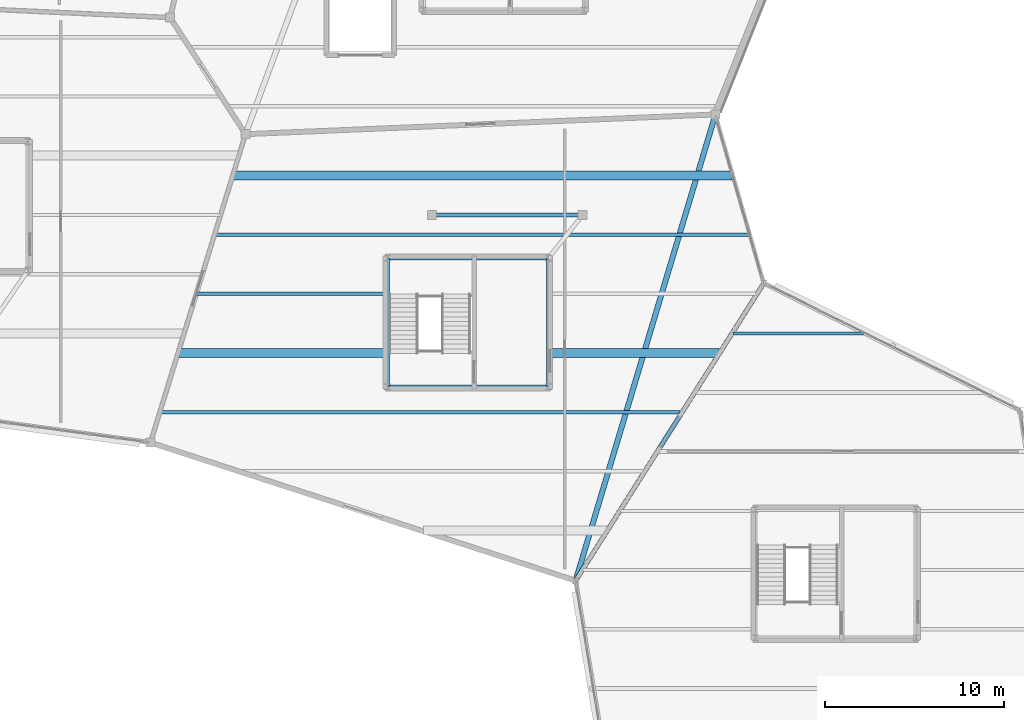
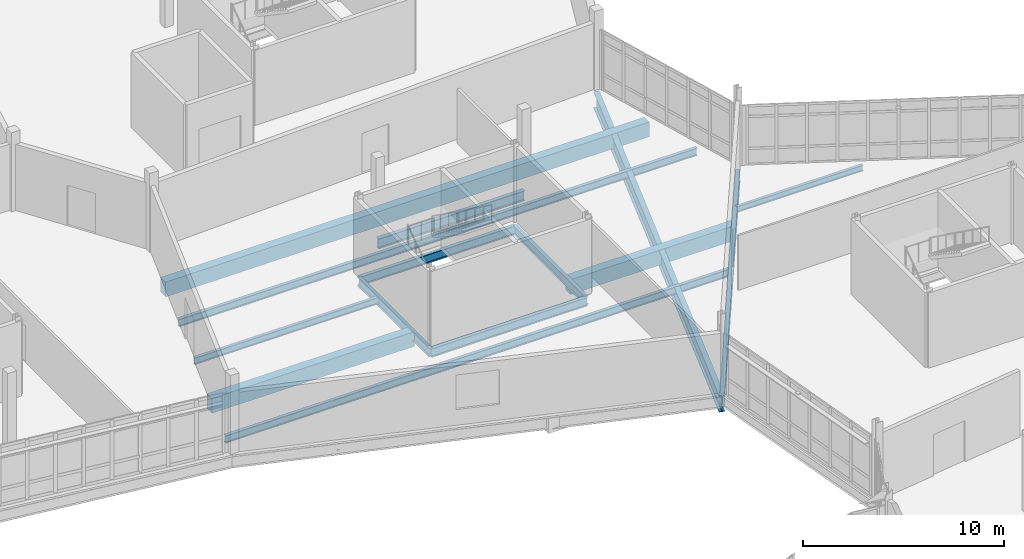
# One storey, part 54 of 134: 14 beams.
"""IFC4 building model written with IfcOpenShell, lengths in metres."""

from ifc_helpers import new_model, si_unit, direction, frame, origin, origin_2d, place, context, subcontext, project, spatial, rectangle, i_section, extrude, material, material_profile, profile_set, type_object, element, save


model = new_model("IFC4")

# Units and contexts
model_context = context("Model", 3, precision=1e-05, world=origin(), true_north=direction((0.0, 1.0)))
body_context = subcontext(model_context, "Body", "Model", "MODEL_VIEW")
ifc_project = project(units=[si_unit("LENGTHUNIT", "METRE"), si_unit("AREAUNIT", "SQUARE_METRE"), si_unit("VOLUMEUNIT", "CUBIC_METRE"), si_unit("PLANEANGLEUNIT", "RADIAN"), si_unit("MASSUNIT", "GRAM", prefix="KILO")], contexts=[model_context])

# Site, building, storey
site_placement = place(None, origin())
site = spatial("IfcSite", under=ifc_project, at=site_placement, CompositionType="ELEMENT")
building_placement = place(site_placement, origin())
building = spatial("IfcBuilding", under=site, at=building_placement, Name="Tameran Prism Museum", CompositionType="ELEMENT")
storey_placement = place(building_placement, frame((0.0, 0.0, 5.39990234375)))
storey = spatial("IfcBuildingStorey", under=building, at=storey_placement, Name="L01", CompositionType="ELEMENT", Elevation=5.39990234375)

# Beams
ifc_material_1 = material(Name="Steel Grade 300PLUS (300 MPa)", Category="steel")
ifc_material_profile_1 = material_profile(ifc_material_1, i_section(OverallWidth=0.1708984375, OverallDepth=0.35595703125, WebThickness=0.00732421875, FlangeThickness=0.011474609375, FilletRadius=0.011474609375, at=origin_2d()))
ifc_profile_set_1 = profile_set([ifc_material_profile_1])
beam_type_1 = type_object("IfcBeamType", Name="BM-J360B", PredefinedType="JOIST", material=ifc_profile_set_1)
beam_1_placement = place(storey_placement, frame((58.77587890625, 70.39990234375, -0.3779296875), z_axis=(1.0, 0.0, 0.0), x_axis=(0.0, 1.0, 0.0)))
element("IfcBeam", 1, at=beam_1_placement, inside=storey, type_object=beam_type_1, Name="Floor Beam BM-0560", PredefinedType="JOIST", context=body_context, shape_type="SweptSolid", body=[
    extrude(i_section(OverallWidth=0.1708984375, OverallDepth=0.35595703125, WebThickness=0.00732421875, FlangeThickness=0.011474609375, FilletRadius=0.011474609375, at=origin_2d()), origin(), (0.0, 0.0, 1.0), 7.273193359375),
])
ifc_material_2 = material(Name="Steel Grade 300PLUS (300 MPa)", Category="steel")
ifc_material_profile_2 = material_profile(ifc_material_2, i_section(OverallWidth=0.177978515625, OverallDepth=0.406005859375, WebThickness=0.0078125, FlangeThickness=0.0126953125, FilletRadius=0.011474609375, at=origin_2d()))
ifc_profile_set_2 = profile_set([ifc_material_profile_2])
beam_type_2 = type_object("IfcBeamType", Name="BM-J410A", PredefinedType="JOIST", material=ifc_profile_set_2)
beam_2_placement = place(storey_placement, frame((28.89892578125, 72.60009765625, -0.462890625), z_axis=(1.0, 0.0, 0.0), x_axis=(0.0, 1.0, 0.0)))
element("IfcBeam", 2, at=beam_2_placement, inside=storey, type_object=beam_type_2, Name="Floor Beam BM-0618", PredefinedType="JOIST", context=body_context, shape_type="SweptSolid", body=[
    extrude(i_section(OverallWidth=0.177978515625, OverallDepth=0.406005859375, WebThickness=0.0078125, FlangeThickness=0.0126953125, FilletRadius=0.011474609375, at=origin_2d()), origin(), (0.0, 0.0, 1.0), 10.62109375),
])
ifc_material_3 = material(Name="Steel Grade 300PLUS (300 MPa)", Category="steel")
ifc_material_profile_3 = material_profile(ifc_material_3, i_section(OverallWidth=0.19091796875, OverallDepth=0.4599609375, WebThickness=0.010009765625, FlangeThickness=0.01611328125, FilletRadius=0.011474609375, at=origin_2d()))
ifc_profile_set_3 = profile_set([ifc_material_profile_3])
beam_type_3 = type_object("IfcBeamType", Name="BM-J460A", PredefinedType="JOIST", material=ifc_profile_set_3)
beam_3_placement = place(storey_placement, frame((26.865966796875, 66.0, -0.489990234375), z_axis=(1.0, 0.0, 0.0), x_axis=(0.0, 1.0, 0.0)))
element("IfcBeam", 3, at=beam_3_placement, inside=storey, type_object=beam_type_3, Name="Floor Beam BM-0615", PredefinedType="JOIST", context=body_context, shape_type="SweptSolid", body=[
    extrude(i_section(OverallWidth=0.19091796875, OverallDepth=0.4599609375, WebThickness=0.010009765625, FlangeThickness=0.01611328125, FilletRadius=0.011474609375, at=origin_2d()), origin(), (0.0, 0.0, 1.0), 29.031982421875),
])
beam_4_placement = place(storey_placement, frame((29.916015625, 75.89990234375, -0.489990234375), z_axis=(1.0, 0.0, 0.0), x_axis=(0.0, 1.0, 0.0)))
element("IfcBeam", 4, at=beam_4_placement, inside=storey, type_object=beam_type_3, Name="Floor Beam BM-0620", PredefinedType="JOIST", context=body_context, shape_type="SweptSolid", body=[
    extrude(i_section(OverallWidth=0.19091796875, OverallDepth=0.4599609375, WebThickness=0.010009765625, FlangeThickness=0.01611328125, FilletRadius=0.011474609375, at=origin_2d()), origin(), (0.0, 0.0, 1.0), 29.76708984375),
])
ifc_material_4 = material(Name="Concrete N40 (40 MPa)", Category="concrete")
ifc_material_profile_4 = material_profile(ifc_material_4, rectangle(XDim=0.5, YDim=0.89990234375, at=origin_2d()))
ifc_profile_set_4 = profile_set([ifc_material_profile_4])
beam_type_4 = type_object("IfcBeamType", Name="BM-RC900", PredefinedType="BEAM", material=ifc_profile_set_4)
beam_5_placement = place(storey_placement, frame((27.883056640625, 69.300048828125, -0.7099609375), z_axis=(1.0, 0.0, 0.0), x_axis=(0.0, 1.0, 0.0)))
element("IfcBeam", 5, at=beam_5_placement, inside=storey, type_object=beam_type_4, Name="Floor Beam BM-0616", PredefinedType="BEAM", context=body_context, shape_type="SweptSolid", body=[
    extrude(rectangle(XDim=0.5, YDim=0.89990234375, at=origin_2d()), origin(), (0.0, 0.0, 1.0), 11.636962890625),
])
beam_6_placement = place(storey_placement, frame((48.47998046875, 69.300048828125, -0.7099609375), z_axis=(1.0, 0.0, 0.0), x_axis=(0.0, 1.0, 0.0)))
element("IfcBeam", 6, at=beam_6_placement, inside=storey, type_object=beam_type_4, Name="Floor Beam BM-0617", PredefinedType="BEAM", context=body_context, shape_type="SweptSolid", body=[
    extrude(rectangle(XDim=0.5, YDim=0.89990234375, at=origin_2d()), origin(), (0.0, 0.0, 1.0), 9.506103515625),
])
beam_7_placement = place(storey_placement, frame((30.93310546875, 79.199951171875, -0.7099609375), z_axis=(1.0, 0.0, 0.0), x_axis=(0.0, 1.0, 0.0)))
element("IfcBeam", 7, at=beam_7_placement, inside=storey, type_object=beam_type_4, Name="Floor Beam BM-0621", PredefinedType="BEAM", context=body_context, shape_type="SweptSolid", body=[
    extrude(rectangle(XDim=0.5, YDim=0.89990234375, at=origin_2d()), origin(), (0.0, 0.0, 1.0), 27.802001953125),
])
ifc_material_5 = material(Name="Steel Grade 300PLUS (300 MPa)", Category="steel")
ifc_material_profile_5 = material_profile(ifc_material_5, i_section(OverallWidth=0.208984375, OverallDepth=0.528076171875, WebThickness=0.009521484375, FlangeThickness=0.01318359375, FilletRadius=0.013916015625, at=origin_2d()))
ifc_profile_set_5 = profile_set([ifc_material_profile_5])
beam_type_5 = type_object("IfcBeamType", Name="BM-SP530B", PredefinedType="SPANDREL", material=ifc_profile_set_5)
beam_8_placement = place(storey_placement, frame((39.52001953125, 67.419921875, -0.52392578125), z_axis=(1.0, 0.0, 0.0), x_axis=(0.0, 1.0, 0.0)))
element("IfcBeam", 8, at=beam_8_placement, inside=storey, type_object=beam_type_5, Name="Core Ring Beam CTB-0462", PredefinedType="SPANDREL", context=body_context, shape_type="SweptSolid", body=[
    extrude(i_section(OverallWidth=0.208984375, OverallDepth=0.528076171875, WebThickness=0.009521484375, FlangeThickness=0.01318359375, FilletRadius=0.013916015625, at=origin_2d()), origin(), (0.0, 0.0, 1.0), 8.9599609375),
])
beam_9_placement = place(storey_placement, frame((48.47998046875, 67.419921875, -0.52392578125), z_axis=(0.0, 1.0, 0.0), x_axis=(-1.0, 0.0, 0.0)))
element("IfcBeam", 9, at=beam_9_placement, inside=storey, type_object=beam_type_5, Name="Core Ring Beam CTB-0463", PredefinedType="SPANDREL", context=body_context, shape_type="SweptSolid", body=[
    extrude(i_section(OverallWidth=0.208984375, OverallDepth=0.528076171875, WebThickness=0.009521484375, FlangeThickness=0.01318359375, FilletRadius=0.013916015625, at=origin_2d()), origin(), (0.0, 0.0, 1.0), 7.16015625),
])
beam_10_placement = place(storey_placement, frame((48.47998046875, 74.580078125, -0.52392578125), z_axis=(-1.0, 0.0, 0.0), x_axis=(0.0, -1.0, 0.0)))
element("IfcBeam", 10, at=beam_10_placement, inside=storey, type_object=beam_type_5, Name="Core Ring Beam CTB-0464", PredefinedType="SPANDREL", context=body_context, shape_type="SweptSolid", body=[
    extrude(i_section(OverallWidth=0.208984375, OverallDepth=0.528076171875, WebThickness=0.009521484375, FlangeThickness=0.01318359375, FilletRadius=0.013916015625, at=origin_2d()), origin(), (0.0, 0.0, 1.0), 8.9599609375),
])
beam_11_placement = place(storey_placement, frame((39.52001953125, 74.580078125, -0.52392578125), z_axis=(0.0, -1.0, 0.0), x_axis=(1.0, 0.0, 0.0)))
element("IfcBeam", 11, at=beam_11_placement, inside=storey, type_object=beam_type_5, Name="Core Ring Beam CTB-0465", PredefinedType="SPANDREL", context=body_context, shape_type="SweptSolid", body=[
    extrude(i_section(OverallWidth=0.208984375, OverallDepth=0.528076171875, WebThickness=0.009521484375, FlangeThickness=0.01318359375, FilletRadius=0.013916015625, at=origin_2d()), origin(), (0.0, 0.0, 1.0), 7.16015625),
])
ifc_material_6 = material(Name="Steel Grade 350 (350 MPa)", Category="steel")
ifc_material_profile_6 = material_profile(ifc_material_6, i_section(OverallWidth=0.25, OverallDepth=0.699951171875, WebThickness=0.010009765625, FlangeThickness=0.02001953125, at=origin_2d()))
ifc_profile_set_6 = profile_set([ifc_material_profile_6])
beam_type_6 = type_object("IfcBeamType", Name="BM-SP700", PredefinedType="SPANDREL", material=ifc_profile_set_6)
beam_12_placement = place(storey_placement, frame((60.5, 73.199951171875, -0.60986328125), z_axis=(-0.534570878454, -0.845123645338, 0.0), x_axis=(0.845123645338, -0.534570878454, 0.0)))
element("IfcBeam", 12, at=beam_12_placement, inside=storey, type_object=beam_type_6, Name="Perimeter Spandrel SP-0359", PredefinedType="SPANDREL", context=body_context, shape_type="SweptSolid", body=[
    extrude(i_section(OverallWidth=0.25, OverallDepth=0.699951171875, WebThickness=0.010009765625, FlangeThickness=0.02001953125, at=origin_2d()), origin(), (0.0, 0.0, 1.0), 19.641845703125),
])
ifc_material_7 = material(Name="Steel Grade 300PLUS (300 MPa)", Category="steel")
ifc_material_profile_7 = material_profile(ifc_material_7, i_section(OverallWidth=0.22900390625, OverallDepth=0.612060546875, WebThickness=0.011962890625, FlangeThickness=0.01953125, FilletRadius=0.013916015625, at=origin_2d()))
ifc_profile_set_7 = profile_set([ifc_material_profile_7])
beam_type_7 = type_object("IfcBeamType", Name="BM-UB610A", PredefinedType="BEAM", material=ifc_profile_set_7)
beam_13_placement = place(storey_placement, frame((50.39990234375, 77.0, -0.56591796875), z_axis=(-1.0, 0.0, 0.0), x_axis=(0.0, -1.0, 0.0)))
element("IfcBeam", 13, at=beam_13_placement, inside=storey, type_object=beam_type_7, Name="Frame Tie Girder FG-1326", PredefinedType="BEAM", context=body_context, shape_type="SweptSolid", body=[
    extrude(i_section(OverallWidth=0.22900390625, OverallDepth=0.612060546875, WebThickness=0.011962890625, FlangeThickness=0.01953125, FilletRadius=0.013916015625, at=origin_2d()), origin(), (0.0, 0.0, 1.0), 8.39990234375),
])
ifc_material_8 = material(Name="Steel Grade 350 (350 MPa)", Category="steel")
ifc_material_profile_8 = material_profile(ifc_material_8, i_section(OverallWidth=0.300048828125, OverallDepth=1.0, WebThickness=0.01611328125, FlangeThickness=0.031982421875, at=origin_2d()))
ifc_profile_set_8 = profile_set([ifc_material_profile_8])
beam_type_8 = type_object("IfcBeamType", Name="BM-WB1000", PredefinedType="BEAM", material=ifc_profile_set_8)
beam_14_placement = place(storey_placement, frame((50.0, 56.60009765625, -0.760009765625), z_axis=(0.287349535842, 0.957825790137, 0.0), x_axis=(-0.957825790137, 0.287349535842, 0.0)))
element("IfcBeam", 14, at=beam_14_placement, inside=storey, type_object=beam_type_8, Name="Primary Vertex Girder PG-0414", PredefinedType="BEAM", context=body_context, shape_type="SweptSolid", body=[
    extrude(i_section(OverallWidth=0.300048828125, OverallDepth=1.0, WebThickness=0.01611328125, FlangeThickness=0.031982421875, at=origin_2d()), origin(), (0.0, 0.0, 1.0), 27.144775390625),
])

save(model, "model.ifc")
